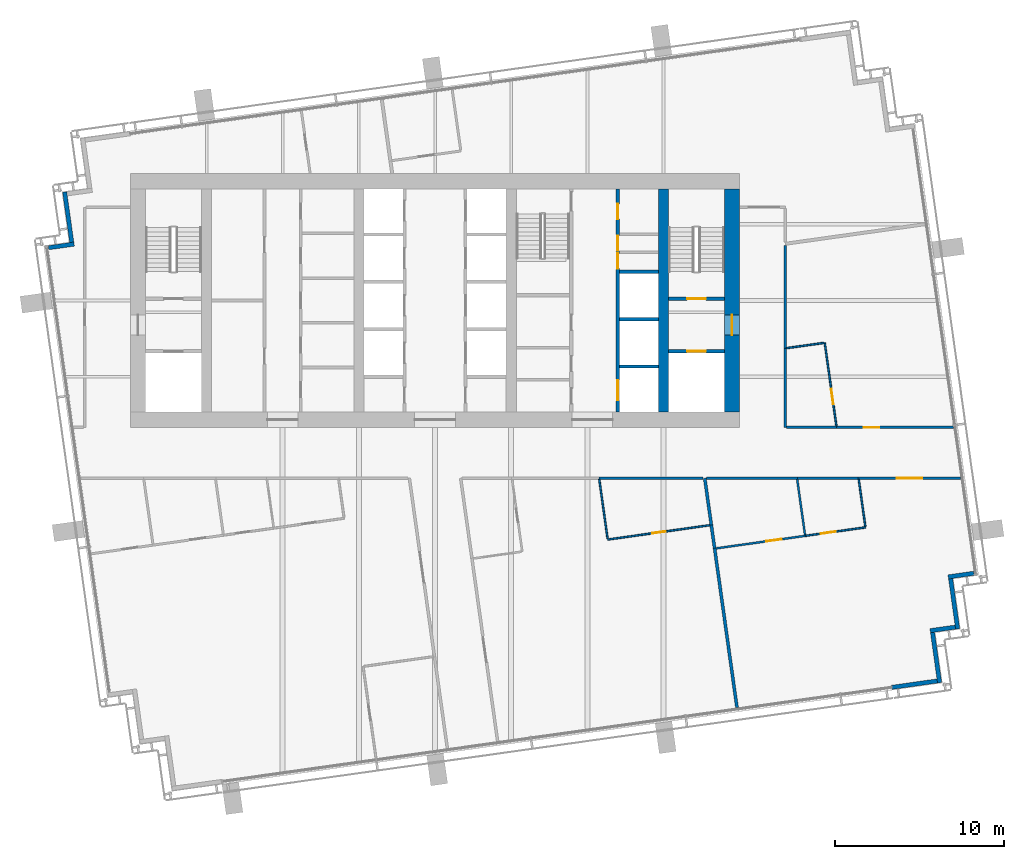
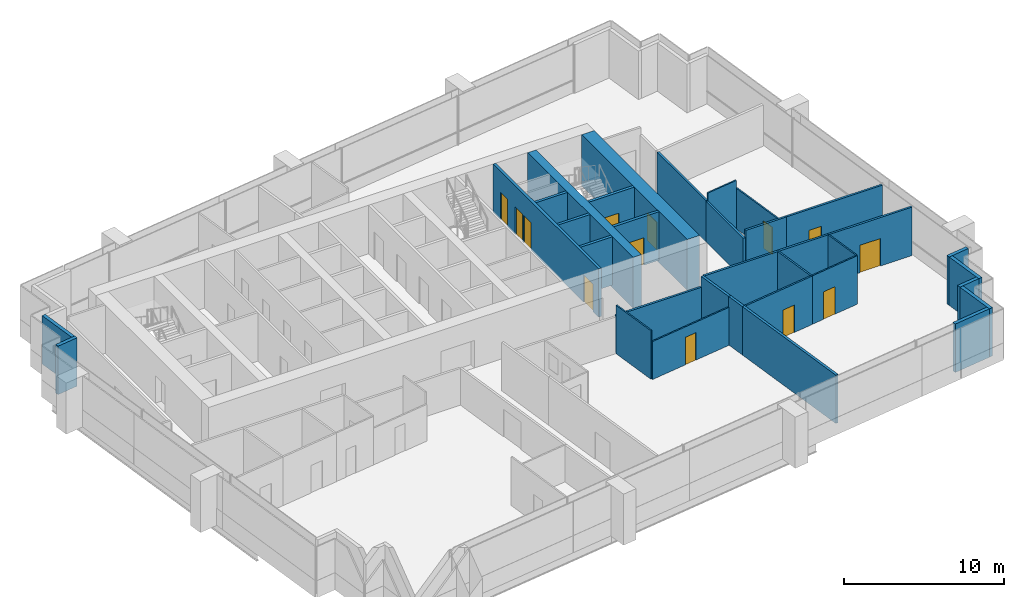
# One storey, part 11 of 18: 34 walls, 13 doors, 13 openings.
"""IFC4 building model written with IfcOpenShell, lengths in metres."""

from ifc_helpers import new_model, si_unit, direction, frame, frame_2d, origin, place, context, subcontext, project, spatial, rectangle, extrude, material, layer, layer_set, type_object, element, fill, save


model = new_model("IFC4")

# Units and contexts
model_context = context("Model", 3, precision=1e-05, world=origin(), true_north=direction((0.0, 1.0)))
body_context = subcontext(model_context, "Body", "Model", "MODEL_VIEW")
ifc_project = project(units=[si_unit("LENGTHUNIT", "METRE"), si_unit("AREAUNIT", "SQUARE_METRE"), si_unit("VOLUMEUNIT", "CUBIC_METRE"), si_unit("PLANEANGLEUNIT", "RADIAN"), si_unit("MASSUNIT", "GRAM", prefix="KILO")], contexts=[model_context])

# Site, building, storey
site_placement = place(None, origin())
site = spatial("IfcSite", under=ifc_project, at=site_placement, CompositionType="ELEMENT")
building_placement = place(site_placement, origin())
building = spatial("IfcBuilding", under=site, at=building_placement, Name="Rattan Terrace Tower", CompositionType="ELEMENT")
storey_placement = place(building_placement, frame((0.0, 0.0, 233.0)))
storey = spatial("IfcBuildingStorey", under=building, at=storey_placement, Name="L53", CompositionType="ELEMENT", Elevation=233.0)

# Wall, opening, door
ifc_material_1 = material(Name="Gypsum board partition")
ifc_layer_1 = layer(ifc_material_1, 0.199951171875)
ifc_layer_set_1 = layer_set([ifc_layer_1], Name="Core partition 200")
wall_type_1 = type_object("IfcWallType", Name="Core partition 200", PredefinedType="PARTITIONING", material=ifc_layer_set_1)
wall_1_placement = place(storey_placement, frame((13.800048828125, -3.0, 0.0), z_axis=(0.0, 0.0, 1.0), x_axis=(1.0, 0.0, 0.0)))
wall_1 = element("IfcWall", 1, at=wall_1_placement, inside=storey, type_object=wall_type_1, Name="Fire-fighting lobby wall", PredefinedType="PARTITIONING", context=body_context, shape_type="SweptSolid", body=[
    extrude(rectangle(XDim=3.300048828125, YDim=0.199951171875, at=frame_2d((1.64990234375, 0.0))), origin(), (0.0, 0.0, 1.0), 3.699951171875),
])
opening_1_placement = place(wall_1_placement, frame((1.10009765625, 0.0, 0.0)))
opening_1 = element("IfcOpeningElement", 2, at=opening_1_placement, cuts=wall_1, Name="Opening L53-LD-FF2", PredefinedType="OPENING", context=body_context, shape_type="SweptSolid", body=[
    extrude(rectangle(XDim=1.10009765625, YDim=2.10009765625, at=frame_2d((0.550048828125, 1.050048828125))), frame((0.0, 0.110595703125, 0.0), z_axis=(0.0, -1.0, 0.0), x_axis=(1.0, 0.0, 0.0)), (0.0, 0.0, 1.0), 0.220947265625),
])
ifc_material_2 = material(Name="Brushed stainless landing door panel")
door_type_1 = type_object("IfcDoorType", Name="Core lift landing door 1100", OperationType="DOUBLE_DOOR_SLIDING", PredefinedType="DOOR", material=ifc_material_2)
door_1_placement = place(opening_1_placement, origin())
door_1 = element("IfcDoor", 3, at=door_1_placement, inside=storey, type_object=door_type_1, Name="Door L53-LD-FF2", OperationType="DOUBLE_DOOR_SLIDING", OverallHeight=2.10009765625, OverallWidth=1.10009765625, PredefinedType="DOOR", context=body_context, shape_type="SweptSolid", body=[
    extrude(rectangle(XDim=1.10009765625, YDim=2.10009765625, at=frame_2d((0.550048828125, 1.050048828125))), frame((0.0, 0.02490234375, 0.0), z_axis=(0.0, -1.0, 0.0), x_axis=(1.0, 0.0, 0.0)), (0.0, 0.0, 1.0), 0.050048828125),
])
fill(opening_1, door_1)

wall_2_placement = place(storey_placement, frame((13.800048828125, 0.10009765625, 0.0), z_axis=(0.0, 0.0, 1.0), x_axis=(1.0, 0.0, 0.0)))
wall_2 = element("IfcWall", 4, at=wall_2_placement, inside=storey, type_object=wall_type_1, Name="Stair enclosure wall", PredefinedType="PARTITIONING", context=body_context, shape_type="SweptSolid", body=[
    extrude(rectangle(XDim=3.300048828125, YDim=0.199951171875, at=frame_2d((1.64990234375, 0.0))), origin(), (0.0, 0.0, 1.0), 3.699951171875),
])
opening_2_placement = place(wall_2_placement, frame((1.10009765625, 0.0, 0.0)))
opening_2 = element("IfcOpeningElement", 5, at=opening_2_placement, cuts=wall_2, Name="Opening L53-D004", PredefinedType="OPENING", context=body_context, shape_type="SweptSolid", body=[
    extrude(rectangle(XDim=1.10009765625, YDim=2.10009765625, at=frame_2d((0.550048828125, 1.050048828125))), frame((0.0, 0.110595703125, 0.0), z_axis=(0.0, -1.0, 0.0), x_axis=(1.0, 0.0, 0.0)), (0.0, 0.0, 1.0), 0.220947265625),
])
ifc_material_3 = material(Name="Hollow-metal fire door leaf")
door_type_2 = type_object("IfcDoorType", Name="Core stair door 1100", OperationType="NOTDEFINED", PredefinedType="DOOR", material=ifc_material_3)
door_2_placement = place(opening_2_placement, origin())
door_2 = element("IfcDoor", 6, at=door_2_placement, inside=storey, type_object=door_type_2, Name="Door L53-D004", OperationType="SINGLE_SWING_RIGHT", OverallHeight=2.10009765625, OverallWidth=1.10009765625, PredefinedType="DOOR", context=body_context, shape_type="SweptSolid", body=[
    extrude(rectangle(XDim=1.10009765625, YDim=2.10009765625, at=frame_2d((0.550048828125, 1.050048828125))), frame((0.0, 0.02490234375, 0.0), z_axis=(0.0, -1.0, 0.0), x_axis=(1.0, 0.0, 0.0)), (0.0, 0.0, 1.0), 0.050048828125),
])
fill(opening_2, door_2)

ifc_material_4 = material(Name="Concrete C50/60", Category="concrete")
ifc_layer_2 = layer(ifc_material_4, 0.89990234375)
ifc_layer_set_2 = layer_set([ifc_layer_2], Name="Core ring wall 900 C50/60")
wall_type_2 = type_object("IfcWallType", Name="Core ring wall 900 C50/60", PredefinedType="SHEAR", material=ifc_layer_set_2)
wall_3_placement = place(storey_placement, frame((17.550048828125, -6.60009765625, -0.199951171875), z_axis=(0.0, 0.0, 1.0), x_axis=(0.0, 1.0, 0.0)))
wall_3 = element("IfcWall", 7, at=wall_3_placement, inside=storey, type_object=wall_type_2, Name="Rear core wall east", PredefinedType="SHEAR", context=body_context, shape_type="SweptSolid", body=[
    extrude(rectangle(XDim=13.2001953125, YDim=0.89990234375, at=frame_2d((6.60009765625, 0.0))), origin(), (0.0, 0.0, 1.0), 3.89990234375),
])
opening_3_placement = place(wall_3_placement, frame((4.550048828125, 0.0, 0.199951171875)))
opening_3 = element("IfcOpeningElement", 8, at=opening_3_placement, cuts=wall_3, Name="Opening L53-D003", PredefinedType="OPENING", context=body_context, shape_type="SweptSolid", body=[
    extrude(rectangle(XDim=1.199951171875, YDim=2.10009765625, at=frame_2d((0.60009765625, 1.050048828125))), frame((0.0, 0.46044921875, 0.0), z_axis=(0.0, -1.0, 0.0), x_axis=(1.0, 0.0, 0.0)), (0.0, 0.0, 1.0), 0.9208984375),
])
ifc_material_5 = material(Name="Hollow-metal fire door leaf")
door_type_3 = type_object("IfcDoorType", Name="Core fire-fighting lobby door 1200", OperationType="NOTDEFINED", PredefinedType="DOOR", material=ifc_material_5)
door_3_placement = place(opening_3_placement, origin())
door_3 = element("IfcDoor", 9, at=door_3_placement, inside=storey, type_object=door_type_3, Name="Door L53-D003", OperationType="SINGLE_SWING_LEFT", OverallHeight=2.10009765625, OverallWidth=1.199951171875, PredefinedType="DOOR", context=body_context, shape_type="SweptSolid", body=[
    extrude(rectangle(XDim=1.199951171875, YDim=2.10009765625, at=frame_2d((0.60009765625, 1.050048828125))), frame((0.0, 0.02490234375, 0.0), z_axis=(0.0, -1.0, 0.0), x_axis=(1.0, 0.0, 0.0)), (0.0, 0.0, 1.0), 0.050048828125),
])
fill(opening_3, door_3)

# Walls
ifc_material_6 = material(Name="Concrete C50/60", Category="concrete")
ifc_layer_3 = layer(ifc_material_6, 0.60009765625)
ifc_layer_set_3 = layer_set([ifc_layer_3], Name="Core spine wall 600 C50/60")
wall_type_3 = type_object("IfcWallType", Name="Core spine wall 600 C50/60", PredefinedType="SHEAR", material=ifc_layer_set_3)
wall_4_placement = place(storey_placement, frame((13.5, -6.60009765625, -0.199951171875), z_axis=(0.0, 0.0, 1.0), x_axis=(0.0, 1.0, 0.0)))
element("IfcWall", 10, at=wall_4_placement, inside=storey, type_object=wall_type_3, Name="Core spine wall 4", PredefinedType="SHEAR", context=body_context, shape_type="SweptSolid", body=[
    extrude(rectangle(XDim=13.2001953125, YDim=0.60009765625, at=frame_2d((6.60009765625, 0.0))), origin(), (0.0, 0.0, 1.0), 3.89990234375),
])
ifc_material_7 = material(Name="Insulated aluminium-clad stud wall", Category="aluminium")
ifc_layer_4 = layer(ifc_material_7, 0.25)
ifc_layer_set_4 = layer_set([ifc_layer_4], Name="Facade Riser Wall 250")
wall_type_4 = type_object("IfcWallType", Name="Facade Riser Wall 250", PredefinedType="SOLIDWALL", material=ifc_layer_set_4)
wall_5_placement = place(storey_placement, frame((26.995361328125, -22.858642578125, 0.0), z_axis=(0.0, 0.0, 1.0), x_axis=(0.99024510326, 0.139336411139, 0.0)))
element("IfcWall", 11, at=wall_5_placement, inside=storey, type_object=wall_type_4, Name="Riser wall L53-1", PredefinedType="SOLIDWALL", context=body_context, shape_type="SweptSolid", body=[
    extrude(rectangle(XDim=2.705322265625, YDim=0.25, at=frame_2d((1.3525390625, 0.0))), origin(), (0.0, 0.0, 1.0), 3.699951171875),
])
wall_6_placement = place(storey_placement, frame((29.8154296875, -22.588134765625, 0.0), z_axis=(0.0, 0.0, 1.0), x_axis=(-0.138983028379, 0.9902947631, 0.0)))
element("IfcWall", 12, at=wall_6_placement, inside=storey, type_object=wall_type_4, Name="Riser wall L53-2", PredefinedType="SOLIDWALL", context=body_context, shape_type="SweptSolid", body=[
    extrude(rectangle(XDim=3.000244140625, YDim=0.25, at=frame_2d((1.5, 0.0))), origin(), (0.0, 0.0, 1.0), 3.699951171875),
])
wall_7_placement = place(storey_placement, frame((29.25732421875, -19.510498046875, 0.0), z_axis=(0.0, 0.0, 1.0), x_axis=(0.990330117064, 0.138730887823, 0.0)))
element("IfcWall", 13, at=wall_7_placement, inside=storey, type_object=wall_type_4, Name="Riser wall L53-3", PredefinedType="SOLIDWALL", context=body_context, shape_type="SweptSolid", body=[
    extrude(rectangle(XDim=1.499267578125, YDim=0.25, at=frame_2d((0.74951171875, 0.0))), origin(), (0.0, 0.0, 1.0), 3.699951171875),
])
wall_8_placement = place(storey_placement, frame((30.88330078125, -19.408935546875, 0.0), z_axis=(0.0, 0.0, 1.0), x_axis=(-0.139324658755, 0.990246756855, 0.0)))
element("IfcWall", 14, at=wall_8_placement, inside=storey, type_object=wall_type_4, Name="Riser wall L53-4", PredefinedType="SOLIDWALL", context=body_context, shape_type="SweptSolid", body=[
    extrude(rectangle(XDim=3.0, YDim=0.25, at=frame_2d((1.5, 0.0))), origin(), (0.0, 0.0, 1.0), 3.699951171875),
])
wall_9_placement = place(storey_placement, frame((30.32421875, -16.331787109375, 0.0), z_axis=(0.0, 0.0, 1.0), x_axis=(0.990238641016, 0.139382329723, 0.0)))
element("IfcWall", 15, at=wall_9_placement, inside=storey, type_object=wall_type_4, Name="Riser wall L53-5", PredefinedType="SOLIDWALL", context=body_context, shape_type="SweptSolid", body=[
    extrude(rectangle(XDim=1.525634765625, YDim=0.25, at=frame_2d((0.7626953125, 0.0))), origin(), (0.0, 0.0, 1.0), 3.699951171875),
])
wall_10_placement = place(storey_placement, frame((-21.88330078125, 6.408935546875, 0.0), z_axis=(0.0, 0.0, 1.0), x_axis=(0.139324658755, -0.990246756855, 0.0)))
element("IfcWall", 16, at=wall_10_placement, inside=storey, type_object=wall_type_4, Name="Riser wall L53-14", PredefinedType="SOLIDWALL", context=body_context, shape_type="SweptSolid", body=[
    extrude(rectangle(XDim=3.0, YDim=0.25, at=frame_2d((1.5, 0.0))), origin(), (0.0, 0.0, 1.0), 3.699951171875),
])
wall_11_placement = place(storey_placement, frame((-21.32421875, 3.331787109375, 0.0), z_axis=(0.0, 0.0, 1.0), x_axis=(-0.990238641016, -0.139382329723, 0.0)))
element("IfcWall", 17, at=wall_11_placement, inside=storey, type_object=wall_type_4, Name="Riser wall L53-15", PredefinedType="SOLIDWALL", context=body_context, shape_type="SweptSolid", body=[
    extrude(rectangle(XDim=1.525634765625, YDim=0.25, at=frame_2d((0.7626953125, 0.0))), origin(), (0.0, 0.0, 1.0), 3.699951171875),
])
ifc_material_8 = material(Name="Double steel stud acoustic partition, gypsum board, mineral wool, fire rated", Category="steel")
ifc_layer_5 = layer(ifc_material_8, 0.179931640625)
ifc_layer_set_5 = layer_set([ifc_layer_5], Name="Floors Acoustic Party Wall 180")
wall_type_5 = type_object("IfcWallType", Name="Floors Acoustic Party Wall 180", PredefinedType="PARTITIONING", material=ifc_layer_set_5)
wall_12_placement = place(storey_placement, frame((16.51904296875, -14.638916015625, 0.0), z_axis=(0.0, 0.0, 1.0), x_axis=(0.139138381639, -0.990272947603, 0.0)))
element("IfcWall", 18, at=wall_12_placement, inside=storey, type_object=wall_type_5, Name="pt-L53-039", PredefinedType="PARTITIONING", context=body_context, shape_type="SweptSolid", body=[
    extrude(rectangle(XDim=9.508544921875, YDim=0.179931640625, at=frame_2d((4.75439453125, 0.0))), origin(), (0.0, 0.0, 1.0), 3.699951171875),
])
wall_13_placement = place(storey_placement, frame((16.325927734375, -13.26611328125, 0.0), z_axis=(0.0, 0.0, 1.0), x_axis=(0.13930070257, -0.990250127121, 0.0)))
element("IfcWall", 19, at=wall_13_placement, inside=storey, type_object=wall_type_5, Name="pt-L53-040", PredefinedType="PARTITIONING", context=body_context, shape_type="SweptSolid", body=[
    extrude(rectangle(XDim=1.38623046875, YDim=0.179931640625, at=frame_2d((0.693115234375, 0.0))), origin(), (0.0, 0.0, 1.0), 3.699951171875),
])
wall_14_placement = place(storey_placement, frame((15.93701171875, -10.5, 0.0), z_axis=(0.0, 0.0, 1.0), x_axis=(0.139230726348, -0.990259968312, 0.0)))
element("IfcWall", 20, at=wall_14_placement, inside=storey, type_object=wall_type_5, Name="pt-L53-041", PredefinedType="PARTITIONING", context=body_context, shape_type="SweptSolid", body=[
    extrude(rectangle(XDim=2.793212890625, YDim=0.179931640625, at=frame_2d((1.396484375, 0.0))), origin(), (0.0, 0.0, 1.0), 3.699951171875),
])
ifc_material_9 = material(Name="Gypsum board partition on steel studs", Category="steel")
ifc_layer_6 = layer(ifc_material_9, 0.10009765625)
ifc_layer_set_6 = layer_set([ifc_layer_6], Name="Floors Partition 100")
wall_type_6 = type_object("IfcWallType", Name="Floors Partition 100", PredefinedType="PARTITIONING", material=ifc_layer_set_6)
wall_15_placement = place(storey_placement, frame((9.7041015625, -10.568115234375, 0.0), z_axis=(0.0, 0.0, 1.0), x_axis=(0.139115473097, -0.9902761661, 0.0)))
element("IfcWall", 21, at=wall_15_placement, inside=storey, type_object=wall_type_6, Name="pt-L53-037", PredefinedType="PARTITIONING", context=body_context, shape_type="SweptSolid", body=[
    extrude(rectangle(XDim=3.543212890625, YDim=0.10009765625, at=frame_2d((1.771484375, 0.0))), origin(), (0.0, 0.0, 1.0), 3.699951171875),
])

# Wall, opening, door
wall_16_placement = place(storey_placement, frame((10.2041015625, -14.1259765625, 0.0), z_axis=(0.0, 0.0, 1.0), x_axis=(0.99026754166, 0.139176851288, 0.0)))
wall_16 = element("IfcWall", 22, at=wall_16_placement, inside=storey, type_object=wall_type_6, Name="pt-L53-038", PredefinedType="PARTITIONING", context=body_context, shape_type="SweptSolid", body=[
    extrude(rectangle(XDim=6.09228515625, YDim=0.10009765625, at=frame_2d((3.046142578125, 0.0))), origin(), (0.0, 0.0, 1.0), 2.89990234375),
])
opening_4_placement = place(wall_16_placement, frame((2.64599609375, 0.0, 0.0)))
opening_4 = element("IfcOpeningElement", 23, at=opening_4_placement, cuts=wall_16, Name="Opening L53-D108", PredefinedType="OPENING", context=body_context, shape_type="SweptSolid", body=[
    extrude(rectangle(XDim=0.800048828125, YDim=2.10009765625, at=frame_2d((0.39990234375, 1.050048828125))), frame((0.0, 0.060546875, 0.0), z_axis=(0.0, -1.0, 0.0), x_axis=(1.0, 0.0, 0.0)), (0.0, 0.0, 1.0), 0.12109375),
])
ifc_material_10 = material(Name="Solid core timber door, painted", Category="wood")
door_type_4 = type_object("IfcDoorType", Name="Floors Store Door 800x2100", OperationType="NOTDEFINED", PredefinedType="DOOR", material=ifc_material_10)
door_4_placement = place(opening_4_placement, origin())
door_4 = element("IfcDoor", 24, at=door_4_placement, inside=storey, type_object=door_type_4, Name="d-L53-108", OperationType="SINGLE_SWING_LEFT", OverallHeight=2.10009765625, OverallWidth=0.800048828125, PredefinedType="DOOR", context=body_context, shape_type="SweptSolid", body=[
    extrude(rectangle(XDim=0.800048828125, YDim=2.10009765625, at=frame_2d((0.39990234375, 1.050048828125))), frame((0.0, 0.02490234375, 0.0), z_axis=(0.0, -1.0, 0.0), x_axis=(1.0, 0.0, 0.0)), (0.0, 0.0, 1.0), 0.050048828125),
])
fill(opening_4, door_4)

wall_17_placement = place(storey_placement, frame((21.888916015625, -13.905029296875, 0.0), z_axis=(0.0, 0.0, 1.0), x_axis=(0.990275524816, 0.139120037919, 0.0)))
wall_17 = element("IfcWall", 25, at=wall_17_placement, inside=storey, type_object=wall_type_6, Name="pt-L53-043", PredefinedType="PARTITIONING", context=body_context, shape_type="SweptSolid", body=[
    extrude(rectangle(XDim=3.580078125, YDim=0.10009765625, at=frame_2d((1.7900390625, 0.0))), origin(), (0.0, 0.0, 1.0), 3.699951171875),
])
opening_5_placement = place(wall_17_placement, frame((0.904052734375, 0.0, 0.0)))
opening_5 = element("IfcOpeningElement", 26, at=opening_5_placement, cuts=wall_17, Name="Opening L53-D111", PredefinedType="OPENING", context=body_context, shape_type="SweptSolid", body=[
    extrude(rectangle(XDim=0.89990234375, YDim=2.10009765625, at=frame_2d((0.449951171875, 1.050048828125))), frame((0.0, 0.060546875, 0.0), z_axis=(0.0, -1.0, 0.0), x_axis=(1.0, 0.0, 0.0)), (0.0, 0.0, 1.0), 0.12109375),
])
ifc_material_11 = material(Name="Solid core timber door, painted", Category="wood")
door_type_5 = type_object("IfcDoorType", Name="Floors Door 900x2100", OperationType="NOTDEFINED", PredefinedType="DOOR", material=ifc_material_11)
door_5_placement = place(opening_5_placement, origin())
door_5 = element("IfcDoor", 27, at=door_5_placement, inside=storey, type_object=door_type_5, Name="d-L53-111", OperationType="SINGLE_SWING_LEFT", OverallHeight=2.10009765625, OverallWidth=0.89990234375, PredefinedType="DOOR", context=body_context, shape_type="SweptSolid", body=[
    extrude(rectangle(XDim=0.89990234375, YDim=2.10009765625, at=frame_2d((0.449951171875, 1.050048828125))), frame((0.0, 0.02490234375, 0.0), z_axis=(0.0, -1.0, 0.0), x_axis=(1.0, 0.0, 0.0)), (0.0, 0.0, 1.0), 0.050048828125),
])
fill(opening_5, door_5)

# Walls
wall_18_placement = place(storey_placement, frame((25.427001953125, -13.35791015625, 0.0), z_axis=(0.0, 0.0, 1.0), x_axis=(-0.139176490191, 0.99026759241, 0.0)))
element("IfcWall", 28, at=wall_18_placement, inside=storey, type_object=wall_type_6, Name="pt-L53-044", PredefinedType="PARTITIONING", context=body_context, shape_type="SweptSolid", body=[
    extrude(rectangle(XDim=2.817138671875, YDim=0.10009765625, at=frame_2d((1.40869140625, 0.0))), origin(), (0.0, 0.0, 1.0), 3.699951171875),
])
wall_19_placement = place(storey_placement, frame((22.97705078125, -2.506103515625, 0.0), z_axis=(0.0, 0.0, 1.0), x_axis=(-0.990307451449, -0.138892590173, 0.0)))
element("IfcWall", 29, at=wall_19_placement, inside=storey, type_object=wall_type_6, Name="pt-L53-049", PredefinedType="PARTITIONING", context=body_context, shape_type="SweptSolid", body=[
    extrude(rectangle(XDim=2.230712890625, YDim=0.10009765625, at=frame_2d((1.115234375, 0.0))), origin(), (0.0, 0.0, 1.0), 3.699951171875),
])

# Wall, opening, door
wall_20_placement = place(storey_placement, frame((23.718994140625, -7.431884765625, 0.0), z_axis=(0.0, 0.0, 1.0), x_axis=(-0.138902614834, 0.990306045418, 0.0)))
wall_20 = element("IfcWall", 30, at=wall_20_placement, inside=storey, type_object=wall_type_6, Name="pt-L53-050", PredefinedType="PARTITIONING", context=body_context, shape_type="SweptSolid", body=[
    extrude(rectangle(XDim=4.981201171875, YDim=0.10009765625, at=frame_2d((2.49072265625, 0.0))), origin(), (0.0, 0.0, 1.0), 3.10009765625),
])
opening_6_placement = place(wall_20_placement, frame((1.323974609375, 0.0, 0.0)))
opening_6 = element("IfcOpeningElement", 31, at=opening_6_placement, cuts=wall_20, Name="Opening L53-D115", PredefinedType="OPENING", context=body_context, shape_type="SweptSolid", body=[
    extrude(rectangle(XDim=0.89990234375, YDim=2.10009765625, at=frame_2d((0.449951171875, 1.050048828125))), frame((0.0, 0.060546875, 0.0), z_axis=(0.0, -1.0, 0.0), x_axis=(1.0, 0.0, 0.0)), (0.0, 0.0, 1.0), 0.12109375),
])
door_6_placement = place(opening_6_placement, origin())
door_6 = element("IfcDoor", 32, at=door_6_placement, inside=storey, type_object=door_type_5, Name="d-L53-115", OperationType="SINGLE_SWING_LEFT", OverallHeight=2.10009765625, OverallWidth=0.89990234375, PredefinedType="DOOR", context=body_context, shape_type="SweptSolid", body=[
    extrude(rectangle(XDim=0.89990234375, YDim=2.10009765625, at=frame_2d((0.449951171875, 1.050048828125))), frame((0.0, 0.02490234375, 0.0), z_axis=(0.0, -1.0, 0.0), x_axis=(1.0, 0.0, 0.0)), (0.0, 0.0, 1.0), 0.050048828125),
])
fill(opening_6, door_6)

# Wall
ifc_material_12 = material(Name="Gypsum board partition on steel studs, fire rated", Category="steel")
ifc_layer_7 = layer(ifc_material_12, 0.14990234375)
ifc_layer_set_7 = layer_set([ifc_layer_7], Name="Floors Tenancy Wall 150")
wall_type_7 = type_object("IfcWallType", Name="Floors Tenancy Wall 150", PredefinedType="PARTITIONING", material=ifc_layer_set_7)
wall_21_placement = place(storey_placement, frame((15.847900390625, -10.5, 0.0), z_axis=(0.0, 0.0, 1.0), x_axis=(-1.0, 0.0, 0.0)))
element("IfcWall", 33, at=wall_21_placement, inside=storey, type_object=wall_type_7, Name="pt-L53-012", PredefinedType="PARTITIONING", context=body_context, shape_type="SweptSolid", body=[
    extrude(rectangle(XDim=6.1728515625, YDim=0.14990234375, at=frame_2d((3.08642578125, 0.0))), origin(), (0.0, 0.0, 1.0), 2.89990234375),
])

# Wall, opening, door
wall_22_placement = place(storey_placement, frame((31.054931640625, -10.5, 0.0), z_axis=(0.0, 0.0, 1.0), x_axis=(-1.0, 0.0, 0.0)))
wall_22 = element("IfcWall", 34, at=wall_22_placement, inside=storey, type_object=wall_type_7, Name="pt-L53-013", PredefinedType="PARTITIONING", context=body_context, shape_type="SweptSolid", body=[
    extrude(rectangle(XDim=6.050048828125, YDim=0.14990234375, at=frame_2d((3.02490234375, 0.0))), origin(), (0.0, 0.0, 1.0), 3.699951171875),
])
opening_7_placement = place(wall_22_placement, frame((2.27490234375, 0.0, 0.0)))
opening_7 = element("IfcOpeningElement", 35, at=opening_7_placement, cuts=wall_22, Name="Opening L53-D109", PredefinedType="OPENING", context=body_context, shape_type="SweptSolid", body=[
    extrude(rectangle(XDim=1.5, YDim=2.10009765625, at=frame_2d((0.75, 1.050048828125))), frame((0.0, 0.08544921875, 0.0), z_axis=(0.0, -1.0, 0.0), x_axis=(1.0, 0.0, 0.0)), (0.0, 0.0, 1.0), 0.1708984375),
])
ifc_material_13 = material(Name="Steel fire door set", Category="steel")
door_type_6 = type_object("IfcDoorType", Name="Floors Unit Door Pair FD30S 1500x2100", OperationType="NOTDEFINED", PredefinedType="DOOR", material=ifc_material_13)
door_7_placement = place(opening_7_placement, origin())
door_7 = element("IfcDoor", 36, at=door_7_placement, inside=storey, type_object=door_type_6, Name="d-L53-109", OperationType="DOUBLE_DOOR_SINGLE_SWING", OverallHeight=2.10009765625, OverallWidth=1.5, PredefinedType="DOOR", context=body_context, shape_type="SweptSolid", body=[
    extrude(rectangle(XDim=1.5, YDim=2.10009765625, at=frame_2d((0.75, 1.050048828125))), frame((0.0, 0.02490234375, 0.0), z_axis=(0.0, -1.0, 0.0), x_axis=(1.0, 0.0, 0.0)), (0.0, 0.0, 1.0), 0.050048828125),
])
fill(opening_7, door_7)

# Walls
wall_23_placement = place(storey_placement, frame((21.409912109375, -10.5, 0.0), z_axis=(0.0, 0.0, 1.0), x_axis=(-1.0, 0.0, 0.0)))
element("IfcWall", 37, at=wall_23_placement, inside=storey, type_object=wall_type_7, Name="pt-L53-014", PredefinedType="PARTITIONING", context=body_context, shape_type="SweptSolid", body=[
    extrude(rectangle(XDim=5.371826171875, YDim=0.14990234375, at=frame_2d((2.68603515625, 0.0))), origin(), (0.0, 0.0, 1.0), 3.699951171875),
])
wall_24_placement = place(storey_placement, frame((25.0048828125, -10.5, 0.0), z_axis=(0.0, 0.0, 1.0), x_axis=(-1.0, 0.0, 0.0)))
element("IfcWall", 38, at=wall_24_placement, inside=storey, type_object=wall_type_7, Name="pt-L53-015", PredefinedType="PARTITIONING", context=body_context, shape_type="SweptSolid", body=[
    extrude(rectangle(XDim=3.594970703125, YDim=0.14990234375, at=frame_2d((1.79736328125, 0.0))), origin(), (0.0, 0.0, 1.0), 3.699951171875),
])
wall_25_placement = place(storey_placement, frame((20.699951171875, 3.260986328125, 0.0), z_axis=(0.0, 0.0, 1.0), x_axis=(0.0, -1.0, 0.0)))
element("IfcWall", 39, at=wall_25_placement, inside=storey, type_object=wall_type_7, Name="pt-L53-019", PredefinedType="PARTITIONING", context=body_context, shape_type="SweptSolid", body=[
    extrude(rectangle(XDim=6.10693359375, YDim=0.14990234375, at=frame_2d((3.053466796875, 0.0))), origin(), (0.0, 0.0, 1.0), 3.14990234375),
])

# Wall, opening, door
wall_26_placement = place(storey_placement, frame((23.708984375, -7.5, 0.0), z_axis=(0.0, 0.0, 1.0), x_axis=(1.0, 0.0, 0.0)))
wall_26 = element("IfcWall", 40, at=wall_26_placement, inside=storey, type_object=wall_type_7, Name="pt-L53-020", PredefinedType="PARTITIONING", context=body_context, shape_type="SweptSolid", body=[
    extrude(rectangle(XDim=6.924072265625, YDim=0.14990234375, at=frame_2d((3.4619140625, 0.0))), origin(), (0.0, 0.0, 1.0), 3.699951171875),
])
opening_8_placement = place(wall_26_placement, frame((1.631103515625, 0.0, 0.0)))
opening_8 = element("IfcOpeningElement", 41, at=opening_8_placement, cuts=wall_26, Name="Opening L53-D114", PredefinedType="OPENING", context=body_context, shape_type="SweptSolid", body=[
    extrude(rectangle(XDim=0.89990234375, YDim=2.10009765625, at=frame_2d((0.449951171875, 1.050048828125))), frame((0.0, 0.08544921875, 0.0), z_axis=(0.0, -1.0, 0.0), x_axis=(1.0, 0.0, 0.0)), (0.0, 0.0, 1.0), 0.1708984375),
])
ifc_material_14 = material(Name="Steel fire door set", Category="steel")
door_type_7 = type_object("IfcDoorType", Name="Floors Fire Door FD30S 900x2100", OperationType="NOTDEFINED", PredefinedType="DOOR", material=ifc_material_14)
door_8_placement = place(opening_8_placement, origin())
door_8 = element("IfcDoor", 42, at=door_8_placement, inside=storey, type_object=door_type_7, Name="d-L53-114", OperationType="SINGLE_SWING_LEFT", OverallHeight=2.10009765625, OverallWidth=0.89990234375, PredefinedType="DOOR", context=body_context, shape_type="SweptSolid", body=[
    extrude(rectangle(XDim=0.89990234375, YDim=2.10009765625, at=frame_2d((0.449951171875, 1.050048828125))), frame((0.0, 0.02490234375, 0.0), z_axis=(0.0, -1.0, 0.0), x_axis=(1.0, 0.0, 0.0)), (0.0, 0.0, 1.0), 0.050048828125),
])
fill(opening_8, door_8)

# Walls
wall_27_placement = place(storey_placement, frame((20.699951171875, -2.845947265625, 0.0), z_axis=(0.0, 0.0, 1.0), x_axis=(0.0, -1.0, 0.0)))
element("IfcWall", 43, at=wall_27_placement, inside=storey, type_object=wall_type_7, Name="pt-L53-021", PredefinedType="PARTITIONING", context=body_context, shape_type="SweptSolid", body=[
    extrude(rectangle(XDim=4.654052734375, YDim=0.14990234375, at=frame_2d((2.3271484375, 0.0))), origin(), (0.0, 0.0, 1.0), 3.10009765625),
])
wall_28_placement = place(storey_placement, frame((20.77490234375, -7.5, 0.0), z_axis=(0.0, 0.0, 1.0), x_axis=(1.0, 0.0, 0.0)))
element("IfcWall", 44, at=wall_28_placement, inside=storey, type_object=wall_type_7, Name="pt-L53-022", PredefinedType="PARTITIONING", context=body_context, shape_type="SweptSolid", body=[
    extrude(rectangle(XDim=2.93408203125, YDim=0.14990234375, at=frame_2d((1.467041015625, 0.0))), origin(), (0.0, 0.0, 1.0), 3.699951171875),
])

# Wall, opening, door
ifc_material_15 = material(Name="Moisture resistant gypsum board partition on steel studs with service cavity", Category="steel")
ifc_layer_8 = layer(ifc_material_15, 0.1201171875)
ifc_layer_set_8 = layer_set([ifc_layer_8], Name="Floors Wet Wall 120")
wall_type_8 = type_object("IfcWallType", Name="Floors Wet Wall 120", PredefinedType="PARTITIONING", material=ifc_layer_set_8)
wall_29_placement = place(storey_placement, frame((16.611083984375, -14.64697265625, 0.0), z_axis=(0.0, 0.0, 1.0), x_axis=(0.990263091894, 0.139208508477, 0.0)))
wall_29 = element("IfcWall", 45, at=wall_29_placement, inside=storey, type_object=wall_type_8, Name="pt-L53-042", PredefinedType="PARTITIONING", context=body_context, shape_type="SweptSolid", body=[
    extrude(rectangle(XDim=5.329833984375, YDim=0.1201171875, at=frame_2d((2.6650390625, 0.0))), origin(), (0.0, 0.0, 1.0), 3.699951171875),
])
opening_9_placement = place(wall_29_placement, frame((3.0, 0.0, 0.0)))
opening_9 = element("IfcOpeningElement", 46, at=opening_9_placement, cuts=wall_29, Name="Opening L53-D110", PredefinedType="OPENING", context=body_context, shape_type="SweptSolid", body=[
    extrude(rectangle(XDim=0.89990234375, YDim=2.10009765625, at=frame_2d((0.449951171875, 1.050048828125))), frame((0.0, 0.070556640625, 0.0), z_axis=(0.0, -1.0, 0.0), x_axis=(1.0, 0.0, 0.0)), (0.0, 0.0, 1.0), 0.14111328125),
])
door_9_placement = place(opening_9_placement, origin())
door_9 = element("IfcDoor", 47, at=door_9_placement, inside=storey, type_object=door_type_5, Name="d-L53-110", OperationType="SINGLE_SWING_RIGHT", OverallHeight=2.10009765625, OverallWidth=0.89990234375, PredefinedType="DOOR", context=body_context, shape_type="SweptSolid", body=[
    extrude(rectangle(XDim=0.89990234375, YDim=2.10009765625, at=frame_2d((0.449951171875, 1.050048828125))), frame((0.0, 0.02490234375, 0.0), z_axis=(0.0, -1.0, 0.0), x_axis=(1.0, 0.0, 0.0)), (0.0, 0.0, 1.0), 0.050048828125),
])
fill(opening_9, door_9)

# Wall
wall_30_placement = place(storey_placement, frame((21.39892578125, -10.56689453125, 0.0), z_axis=(0.0, 0.0, 1.0), x_axis=(0.139430884239, -0.990231805448, 0.0)))
element("IfcWall", 48, at=wall_30_placement, inside=storey, type_object=wall_type_8, Name="pt-L53-045", PredefinedType="PARTITIONING", context=body_context, shape_type="SweptSolid", body=[
    extrude(rectangle(XDim=3.314697265625, YDim=0.1201171875, at=frame_2d((1.6572265625, 0.0))), origin(), (0.0, 0.0, 1.0), 3.699951171875),
])

# Wall, openings, doors
ifc_material_16 = material(Name="Gypsum shaft wall system")
ifc_layer_9 = layer(ifc_material_16, 0.199951171875)
ifc_layer_set_9 = layer_set([ifc_layer_9], Name="Lift shaft wall 200")
wall_type_9 = type_object("IfcWallType", Name="Lift shaft wall 200", PredefinedType="PARTITIONING", material=ifc_layer_set_9)
wall_31_placement = place(storey_placement, frame((10.800048828125, -6.60009765625, 0.0), z_axis=(0.0, 0.0, 1.0), x_axis=(0.0, 1.0, 0.0)))
wall_31 = element("IfcWall", 49, at=wall_31_placement, inside=storey, type_object=wall_type_9, Name="Lift shaft front wall", PredefinedType="PARTITIONING", context=body_context, shape_type="SweptSolid", body=[
    extrude(rectangle(XDim=13.2001953125, YDim=0.199951171875, at=frame_2d((6.60009765625, 0.0))), origin(), (0.0, 0.0, 1.0), 3.699951171875),
])
opening_10_placement = place(wall_31_placement, frame((0.699951171875, 0.0, 0.0)))
opening_10 = element("IfcOpeningElement", 50, at=opening_10_placement, cuts=wall_31, Name="Opening L53-LD-SV1", PredefinedType="OPENING", context=body_context, shape_type="SweptSolid", body=[
    extrude(rectangle(XDim=1.199951171875, YDim=2.10009765625, at=frame_2d((0.60009765625, 1.050048828125))), frame((0.0, 0.110595703125, 0.0), z_axis=(0.0, -1.0, 0.0), x_axis=(1.0, 0.0, 0.0)), (0.0, 0.0, 1.0), 0.220947265625),
])
opening_11_placement = place(wall_31_placement, frame((8.47802734375, 0.0, 0.0)))
opening_11 = element("IfcOpeningElement", 51, at=opening_11_placement, cuts=wall_31, Name="Opening L53-D021", PredefinedType="OPENING", context=body_context, shape_type="SweptSolid", body=[
    extrude(rectangle(XDim=0.89990234375, YDim=2.10009765625, at=frame_2d((0.449951171875, 1.050048828125))), frame((0.0, 0.110595703125, 0.0), z_axis=(0.0, -1.0, 0.0), x_axis=(1.0, 0.0, 0.0)), (0.0, 0.0, 1.0), 0.220947265625),
])
opening_12_placement = place(wall_31_placement, frame((9.533935546875, 0.0, 0.0)))
opening_12 = element("IfcOpeningElement", 52, at=opening_12_placement, cuts=wall_31, Name="Opening L53-D022", PredefinedType="OPENING", context=body_context, shape_type="SweptSolid", body=[
    extrude(rectangle(XDim=0.89990234375, YDim=2.10009765625, at=frame_2d((0.449951171875, 1.050048828125))), frame((0.0, 0.110595703125, 0.0), z_axis=(0.0, -1.0, 0.0), x_axis=(1.0, 0.0, 0.0)), (0.0, 0.0, 1.0), 0.220947265625),
])
opening_13_placement = place(wall_31_placement, frame((11.406005859375, 0.0, 0.0)))
opening_13 = element("IfcOpeningElement", 53, at=opening_13_placement, cuts=wall_31, Name="Opening L53-D023", PredefinedType="OPENING", context=body_context, shape_type="SweptSolid", body=[
    extrude(rectangle(XDim=0.89990234375, YDim=2.10009765625, at=frame_2d((0.449951171875, 1.050048828125))), frame((0.0, 0.110595703125, 0.0), z_axis=(0.0, -1.0, 0.0), x_axis=(1.0, 0.0, 0.0)), (0.0, 0.0, 1.0), 0.220947265625),
])
ifc_material_17 = material(Name="Brushed stainless landing door panel")
door_type_8 = type_object("IfcDoorType", Name="Core lift landing door 1200", OperationType="DOUBLE_DOOR_SLIDING", PredefinedType="DOOR", material=ifc_material_17)
door_10_placement = place(opening_10_placement, origin())
door_10 = element("IfcDoor", 54, at=door_10_placement, inside=storey, type_object=door_type_8, Name="Door L53-LD-SV1", OperationType="DOUBLE_DOOR_SLIDING", OverallHeight=2.10009765625, OverallWidth=1.199951171875, PredefinedType="DOOR", context=body_context, shape_type="SweptSolid", body=[
    extrude(rectangle(XDim=1.199951171875, YDim=2.10009765625, at=frame_2d((0.60009765625, 1.050048828125))), frame((0.0, 0.02490234375, 0.0), z_axis=(0.0, -1.0, 0.0), x_axis=(1.0, 0.0, 0.0)), (0.0, 0.0, 1.0), 0.050048828125),
])
fill(opening_10, door_10)
ifc_material_18 = material(Name="Hollow-metal fire door leaf")
door_type_9 = type_object("IfcDoorType", Name="Core riser door 900", OperationType="NOTDEFINED", PredefinedType="DOOR", material=ifc_material_18)
door_11_placement = place(opening_11_placement, origin())
door_11 = element("IfcDoor", 55, at=door_11_placement, inside=storey, type_object=door_type_9, Name="Door L53-D021", OperationType="SINGLE_SWING_LEFT", OverallHeight=2.10009765625, OverallWidth=0.89990234375, PredefinedType="DOOR", context=body_context, shape_type="SweptSolid", body=[
    extrude(rectangle(XDim=0.89990234375, YDim=2.10009765625, at=frame_2d((0.449951171875, 1.050048828125))), frame((0.0, 0.02490234375, 0.0), z_axis=(0.0, -1.0, 0.0), x_axis=(1.0, 0.0, 0.0)), (0.0, 0.0, 1.0), 0.050048828125),
])
fill(opening_11, door_11)
door_12_placement = place(opening_12_placement, origin())
door_12 = element("IfcDoor", 56, at=door_12_placement, inside=storey, type_object=door_type_9, Name="Door L53-D022", OperationType="SINGLE_SWING_RIGHT", OverallHeight=2.10009765625, OverallWidth=0.89990234375, PredefinedType="DOOR", context=body_context, shape_type="SweptSolid", body=[
    extrude(rectangle(XDim=0.89990234375, YDim=2.10009765625, at=frame_2d((0.449951171875, 1.050048828125))), frame((0.0, 0.02490234375, 0.0), z_axis=(0.0, -1.0, 0.0), x_axis=(1.0, 0.0, 0.0)), (0.0, 0.0, 1.0), 0.050048828125),
])
fill(opening_12, door_12)
ifc_material_19 = material(Name="Hollow-metal fire door leaf")
door_type_10 = type_object("IfcDoorType", Name="Core service room door 900", OperationType="NOTDEFINED", PredefinedType="DOOR", material=ifc_material_19)
door_13_placement = place(opening_13_placement, origin())
door_13 = element("IfcDoor", 57, at=door_13_placement, inside=storey, type_object=door_type_10, Name="Door L53-D023", OperationType="SINGLE_SWING_LEFT", OverallHeight=2.10009765625, OverallWidth=0.89990234375, PredefinedType="DOOR", context=body_context, shape_type="SweptSolid", body=[
    extrude(rectangle(XDim=0.89990234375, YDim=2.10009765625, at=frame_2d((0.449951171875, 1.050048828125))), frame((0.0, 0.02490234375, 0.0), z_axis=(0.0, -1.0, 0.0), x_axis=(1.0, 0.0, 0.0)), (0.0, 0.0, 1.0), 0.050048828125),
])
fill(opening_13, door_13)

# Walls
for number, where, z_axis, x_axis, name in (
    (58, (10.89990234375, -3.89990234375, 0.0), (0.0, 0.0, 1.0), (1.0, 0.0, 0.0), "Lift shaft wall"),
    (59, (10.89990234375, -1.10009765625, 0.0), (0.0, 0.0, 1.0), (1.0, 0.0, 0.0), "Lift shaft wall"),
    (60, (10.89990234375, 1.699951171875, 0.0), (0.0, 0.0, 1.0), (1.0, 0.0, 0.0), "Lift shaft wall"),
):
    element("IfcWall", number, at=place(storey_placement, frame(where, z_axis=z_axis, x_axis=x_axis)), inside=storey, type_object=wall_type_9, Name=name, PredefinedType="PARTITIONING", context=body_context, shape_type="SweptSolid", body=[
        extrude(rectangle(XDim=2.300048828125, YDim=0.199951171875, at=frame_2d((1.14990234375, 0.0))), origin(), (0.0, 0.0, 1.0), 3.699951171875),
    ])

save(model, "model.ifc")
